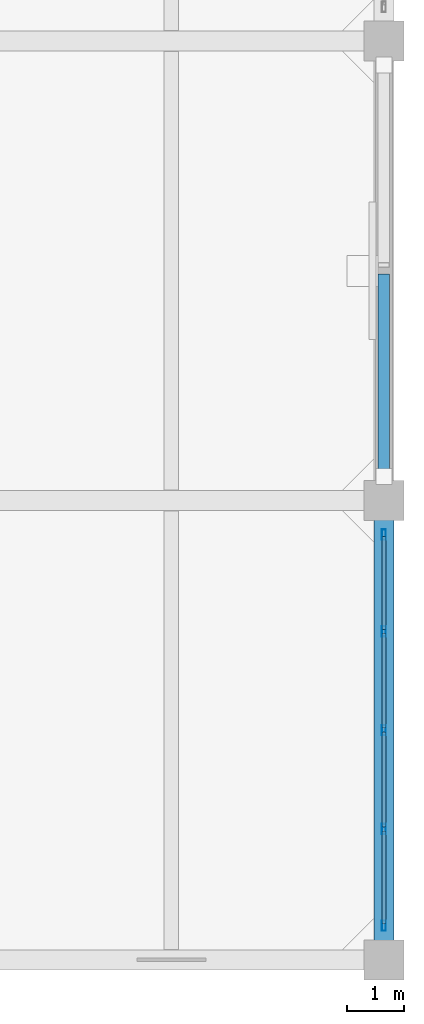
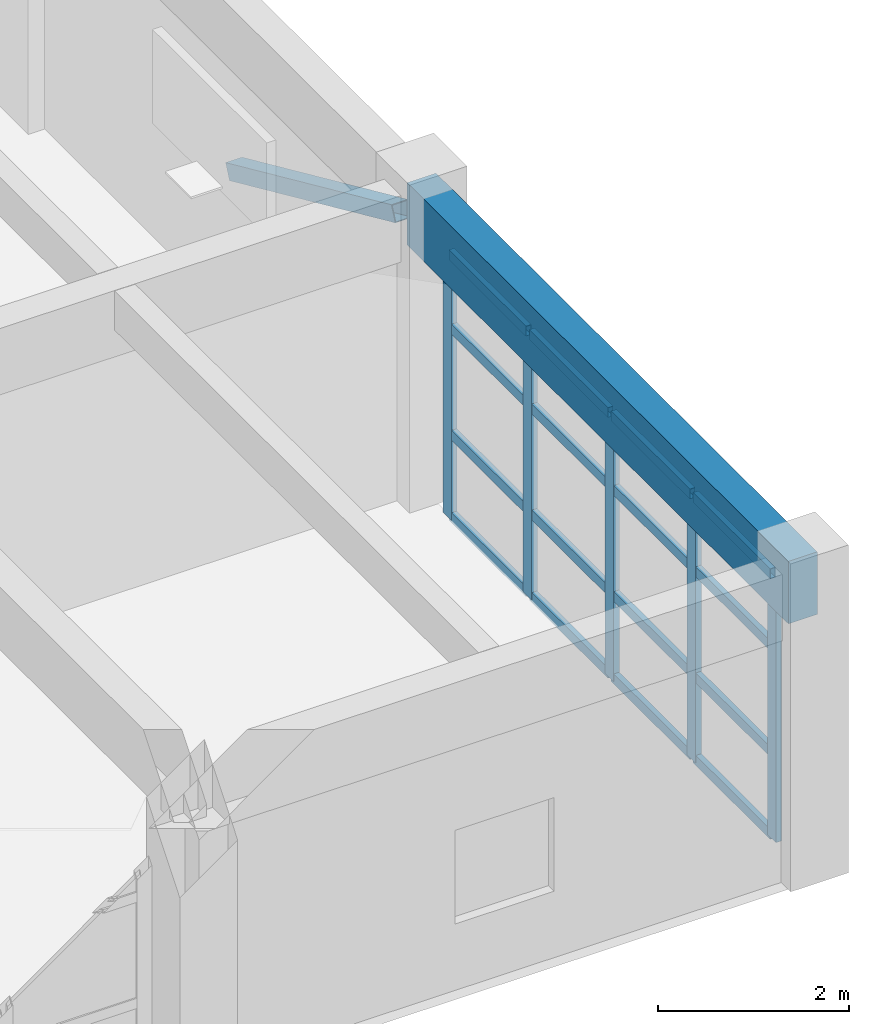
# One storey, part 9 of 25: 22 members, 1 beam, 1 element without a shape of its own.
"""IFC4 building model written with IfcOpenShell, lengths in metres."""

from ifc_helpers import new_model, si_unit, direction, frame, origin, origin_2d, place, context, subcontext, project, spatial, rectangle, hollow_rectangle, extrude, material, layer, layer_set, material_profile, profile_set, type_object, element, aggregate, save


model = new_model("IFC4")

# Units and contexts
model_context = context("Model", 3, precision=1e-05, world=origin(), true_north=direction((0.0, 1.0)))
body_context = subcontext(model_context, "Body", "Model", "MODEL_VIEW")
ifc_project = project(units=[si_unit("LENGTHUNIT", "METRE"), si_unit("AREAUNIT", "SQUARE_METRE"), si_unit("VOLUMEUNIT", "CUBIC_METRE"), si_unit("PLANEANGLEUNIT", "RADIAN"), si_unit("MASSUNIT", "GRAM", prefix="KILO")], contexts=[model_context])

# Site, building, storey
site_placement = place(None, origin())
site = spatial("IfcSite", under=ifc_project, at=site_placement, CompositionType="ELEMENT")
building_placement = place(site_placement, origin())
building = spatial("IfcBuilding", under=site, at=building_placement, Name="Canggui Botanical Conservatory", CompositionType="ELEMENT")
storey_placement = place(building_placement, frame((0.0, 0.0, 40.199951171875)))
storey = spatial("IfcBuildingStorey", under=building, at=storey_placement, Name="L10", CompositionType="ELEMENT", Elevation=40.199951171875)

# Beam
ifc_material_1 = material(Name="Concrete C35", Category="concrete")
ifc_material_profile_1 = material_profile(ifc_material_1, rectangle(XDim=0.35009765625, YDim=0.800048828125, at=origin_2d()), Name="RB 350x800")
ifc_profile_set_1 = profile_set([ifc_material_profile_1], Name="Concrete C35")
beam_type = type_object("IfcBeamType", Name="BM-KL15", PredefinedType="BEAM", material=ifc_profile_set_1)
beam_placement = place(storey_placement, frame((177.39990234375, 34.0, 3.56005859375), z_axis=(0.0, 1.0, 0.0), x_axis=(-1.0, 0.0, 0.0)))
element("IfcBeam", 1, at=beam_placement, inside=storey, type_object=beam_type, Name="Frame Girder L10 X178-1", PredefinedType="BEAM", context=body_context, shape_type="SweptSolid", body=[
    extrude(rectangle(XDim=0.35009765625, YDim=0.800048828125, at=origin_2d()), origin(), (0.0, 0.0, 1.0), 8.0),
])

# Curtain wall, members
ifc_material_2 = material(Name="Thermally Broken Aluminium", Category="aluminium")
ifc_layer = layer(ifc_material_2, 0.179931640625, Name="Thermally Broken Aluminium", Category="aluminium")
ifc_layer_set = layer_set([ifc_layer], Name="Thermally Broken Aluminium")
curtain_wall_type = type_object("IfcCurtainWallType", Name="CW-UNIT-A", PredefinedType="USERDEFINED", material=ifc_layer_set)
curtain_wall_placement = place(storey_placement, origin())
curtain_wall = element("IfcCurtainWall", 2, at=curtain_wall_placement, inside=storey, type_object=curtain_wall_type, Name="Facade Curtain Wall CW-TWR-L10-18", ObjectType="UNITISED CURTAIN WALL", PredefinedType="USERDEFINED")
ifc_material_profile_2 = material_profile(ifc_material_2, hollow_rectangle(XDim=0.070068359375, YDim=0.179931640625, WallThickness=0.00390625, at=origin_2d()), Name="CWM 70x180x4")
ifc_profile_set_2 = profile_set([ifc_material_profile_2], Name="Thermally Broken Aluminium")
member_type_1 = type_object("IfcMemberType", Name="CWM-01", PredefinedType="MULLION", material=ifc_profile_set_2)
member_1_placement = place(storey_placement, frame((177.39990234375, 41.405029296875, 0.0), z_axis=(0.0, 0.0, 1.0), x_axis=(1.0, 0.0, 0.0)))
member_1 = element("IfcMember", 3, at=member_1_placement, type_object=member_type_1, Name="CW-01 mullion 1", PredefinedType="MULLION", context=body_context, shape_type="SweptSolid", body=[
    extrude(hollow_rectangle(XDim=0.070068359375, YDim=0.179931640625, WallThickness=0.00390625, at=origin_2d()), origin(), (0.0, 0.0, 1.0), 3.400146484375),
])
member_2_placement = place(storey_placement, frame((177.39990234375, 39.719970703125, 0.0), z_axis=(0.0, 0.0, 1.0), x_axis=(1.0, 0.0, 0.0)))
member_2 = element("IfcMember", 4, at=member_2_placement, type_object=member_type_1, Name="CW-01 mullion 2", PredefinedType="MULLION", context=body_context, shape_type="SweptSolid", body=[
    extrude(hollow_rectangle(XDim=0.070068359375, YDim=0.179931640625, WallThickness=0.00390625, at=origin_2d()), origin(), (0.0, 0.0, 1.0), 3.400146484375),
])
member_3_placement = place(storey_placement, frame((177.39990234375, 38.0, 0.0), z_axis=(0.0, 0.0, 1.0), x_axis=(1.0, 0.0, 0.0)))
member_3 = element("IfcMember", 5, at=member_3_placement, type_object=member_type_1, Name="CW-01 mullion 3", PredefinedType="MULLION", context=body_context, shape_type="SweptSolid", body=[
    extrude(hollow_rectangle(XDim=0.070068359375, YDim=0.179931640625, WallThickness=0.00390625, at=origin_2d()), origin(), (0.0, 0.0, 1.0), 3.400146484375),
])
member_4_placement = place(storey_placement, frame((177.39990234375, 36.280029296875, 0.0), z_axis=(0.0, 0.0, 1.0), x_axis=(1.0, 0.0, 0.0)))
member_4 = element("IfcMember", 6, at=member_4_placement, type_object=member_type_1, Name="CW-01 mullion 4", PredefinedType="MULLION", context=body_context, shape_type="SweptSolid", body=[
    extrude(hollow_rectangle(XDim=0.070068359375, YDim=0.179931640625, WallThickness=0.00390625, at=origin_2d()), origin(), (0.0, 0.0, 1.0), 3.400146484375),
])
member_5_placement = place(storey_placement, frame((177.39990234375, 34.594970703125, 0.0), z_axis=(0.0, 0.0, 1.0), x_axis=(1.0, 0.0, 0.0)))
member_5 = element("IfcMember", 7, at=member_5_placement, type_object=member_type_1, Name="CW-01 mullion 5", PredefinedType="MULLION", context=body_context, shape_type="SweptSolid", body=[
    extrude(hollow_rectangle(XDim=0.070068359375, YDim=0.179931640625, WallThickness=0.00390625, at=origin_2d()), origin(), (0.0, 0.0, 1.0), 3.400146484375),
])
ifc_material_profile_3 = material_profile(ifc_material_2, hollow_rectangle(XDim=0.06494140625, YDim=0.1298828125, WallThickness=0.00341796875, at=origin_2d()), Name="CWT 65x130x3.5")
ifc_profile_set_3 = profile_set([ifc_material_profile_3], Name="Thermally Broken Aluminium")
member_type_2 = type_object("IfcMemberType", Name="CWT-01", PredefinedType="USERDEFINED", material=ifc_profile_set_3)
member_6_placement = place(storey_placement, frame((177.39990234375, 41.3701171875, 0.032470703125), z_axis=(0.0, -1.0, 0.0), x_axis=(1.0, 0.0, 0.0)))
member_6 = element("IfcMember", 8, at=member_6_placement, type_object=member_type_2, Name="CW-01 transom 1.1", ObjectType="TRANSOM", PredefinedType="USERDEFINED", context=body_context, shape_type="SweptSolid", body=[
    extrude(hollow_rectangle(XDim=0.06494140625, YDim=0.1298828125, WallThickness=0.00341796875, at=origin_2d()), origin(), (0.0, 0.0, 1.0), 1.615234375),
])
member_7_placement = place(storey_placement, frame((177.39990234375, 41.3701171875, 1.088134765625), z_axis=(0.0, -1.0, 0.0), x_axis=(1.0, 0.0, 0.0)))
member_7 = element("IfcMember", 9, at=member_7_placement, type_object=member_type_2, Name="CW-01 transom 1.2", ObjectType="TRANSOM", PredefinedType="USERDEFINED", context=body_context, shape_type="SweptSolid", body=[
    extrude(hollow_rectangle(XDim=0.06494140625, YDim=0.1298828125, WallThickness=0.00341796875, at=origin_2d()), origin(), (0.0, 0.0, 1.0), 1.615234375),
])
member_8_placement = place(storey_placement, frame((177.39990234375, 41.3701171875, 2.447998046875), z_axis=(0.0, -1.0, 0.0), x_axis=(1.0, 0.0, 0.0)))
member_8 = element("IfcMember", 10, at=member_8_placement, type_object=member_type_2, Name="CW-01 transom 1.3", ObjectType="TRANSOM", PredefinedType="USERDEFINED", context=body_context, shape_type="SweptSolid", body=[
    extrude(hollow_rectangle(XDim=0.06494140625, YDim=0.1298828125, WallThickness=0.00341796875, at=origin_2d()), origin(), (0.0, 0.0, 1.0), 1.615234375),
])
member_9_placement = place(storey_placement, frame((177.39990234375, 41.3701171875, 3.367431640625), z_axis=(0.0, -1.0, 0.0), x_axis=(1.0, 0.0, 0.0)))
member_9 = element("IfcMember", 11, at=member_9_placement, type_object=member_type_2, Name="CW-01 transom 1.4", ObjectType="TRANSOM", PredefinedType="USERDEFINED", context=body_context, shape_type="SweptSolid", body=[
    extrude(hollow_rectangle(XDim=0.06494140625, YDim=0.1298828125, WallThickness=0.00341796875, at=origin_2d()), origin(), (0.0, 0.0, 1.0), 1.615234375),
])
member_10_placement = place(storey_placement, frame((177.39990234375, 39.68505859375, 0.032470703125), z_axis=(0.0, -1.0, 0.0), x_axis=(1.0, 0.0, 0.0)))
member_10 = element("IfcMember", 12, at=member_10_placement, type_object=member_type_2, Name="CW-01 transom 2.1", ObjectType="TRANSOM", PredefinedType="USERDEFINED", context=body_context, shape_type="SweptSolid", body=[
    extrude(hollow_rectangle(XDim=0.06494140625, YDim=0.1298828125, WallThickness=0.00341796875, at=origin_2d()), origin(), (0.0, 0.0, 1.0), 1.650146484375),
])
member_11_placement = place(storey_placement, frame((177.39990234375, 39.68505859375, 1.088134765625), z_axis=(0.0, -1.0, 0.0), x_axis=(1.0, 0.0, 0.0)))
member_11 = element("IfcMember", 13, at=member_11_placement, type_object=member_type_2, Name="CW-01 transom 2.2", ObjectType="TRANSOM", PredefinedType="USERDEFINED", context=body_context, shape_type="SweptSolid", body=[
    extrude(hollow_rectangle(XDim=0.06494140625, YDim=0.1298828125, WallThickness=0.00341796875, at=origin_2d()), origin(), (0.0, 0.0, 1.0), 1.650146484375),
])
member_12_placement = place(storey_placement, frame((177.39990234375, 39.68505859375, 2.447998046875), z_axis=(0.0, -1.0, 0.0), x_axis=(1.0, 0.0, 0.0)))
member_12 = element("IfcMember", 14, at=member_12_placement, type_object=member_type_2, Name="CW-01 transom 2.3", ObjectType="TRANSOM", PredefinedType="USERDEFINED", context=body_context, shape_type="SweptSolid", body=[
    extrude(hollow_rectangle(XDim=0.06494140625, YDim=0.1298828125, WallThickness=0.00341796875, at=origin_2d()), origin(), (0.0, 0.0, 1.0), 1.650146484375),
])
member_13_placement = place(storey_placement, frame((177.39990234375, 39.68505859375, 3.367431640625), z_axis=(0.0, -1.0, 0.0), x_axis=(1.0, 0.0, 0.0)))
member_13 = element("IfcMember", 15, at=member_13_placement, type_object=member_type_2, Name="CW-01 transom 2.4", ObjectType="TRANSOM", PredefinedType="USERDEFINED", context=body_context, shape_type="SweptSolid", body=[
    extrude(hollow_rectangle(XDim=0.06494140625, YDim=0.1298828125, WallThickness=0.00341796875, at=origin_2d()), origin(), (0.0, 0.0, 1.0), 1.650146484375),
])
member_14_placement = place(storey_placement, frame((177.39990234375, 37.965087890625, 0.032470703125), z_axis=(0.0, -1.0, 0.0), x_axis=(1.0, 0.0, 0.0)))
member_14 = element("IfcMember", 16, at=member_14_placement, type_object=member_type_2, Name="CW-01 transom 3.1", ObjectType="TRANSOM", PredefinedType="USERDEFINED", context=body_context, shape_type="SweptSolid", body=[
    extrude(hollow_rectangle(XDim=0.06494140625, YDim=0.1298828125, WallThickness=0.00341796875, at=origin_2d()), origin(), (0.0, 0.0, 1.0), 1.650146484375),
])
member_15_placement = place(storey_placement, frame((177.39990234375, 37.965087890625, 1.088134765625), z_axis=(0.0, -1.0, 0.0), x_axis=(1.0, 0.0, 0.0)))
member_15 = element("IfcMember", 17, at=member_15_placement, type_object=member_type_2, Name="CW-01 transom 3.2", ObjectType="TRANSOM", PredefinedType="USERDEFINED", context=body_context, shape_type="SweptSolid", body=[
    extrude(hollow_rectangle(XDim=0.06494140625, YDim=0.1298828125, WallThickness=0.00341796875, at=origin_2d()), origin(), (0.0, 0.0, 1.0), 1.650146484375),
])
member_16_placement = place(storey_placement, frame((177.39990234375, 37.965087890625, 2.447998046875), z_axis=(0.0, -1.0, 0.0), x_axis=(1.0, 0.0, 0.0)))
member_16 = element("IfcMember", 18, at=member_16_placement, type_object=member_type_2, Name="CW-01 transom 3.3", ObjectType="TRANSOM", PredefinedType="USERDEFINED", context=body_context, shape_type="SweptSolid", body=[
    extrude(hollow_rectangle(XDim=0.06494140625, YDim=0.1298828125, WallThickness=0.00341796875, at=origin_2d()), origin(), (0.0, 0.0, 1.0), 1.650146484375),
])
member_17_placement = place(storey_placement, frame((177.39990234375, 37.965087890625, 3.367431640625), z_axis=(0.0, -1.0, 0.0), x_axis=(1.0, 0.0, 0.0)))
member_17 = element("IfcMember", 19, at=member_17_placement, type_object=member_type_2, Name="CW-01 transom 3.4", ObjectType="TRANSOM", PredefinedType="USERDEFINED", context=body_context, shape_type="SweptSolid", body=[
    extrude(hollow_rectangle(XDim=0.06494140625, YDim=0.1298828125, WallThickness=0.00341796875, at=origin_2d()), origin(), (0.0, 0.0, 1.0), 1.650146484375),
])
member_18_placement = place(storey_placement, frame((177.39990234375, 36.2451171875, 0.032470703125), z_axis=(0.0, -1.0, 0.0), x_axis=(1.0, 0.0, 0.0)))
member_18 = element("IfcMember", 20, at=member_18_placement, type_object=member_type_2, Name="CW-01 transom 4.1", ObjectType="TRANSOM", PredefinedType="USERDEFINED", context=body_context, shape_type="SweptSolid", body=[
    extrude(hollow_rectangle(XDim=0.06494140625, YDim=0.1298828125, WallThickness=0.00341796875, at=origin_2d()), origin(), (0.0, 0.0, 1.0), 1.615234375),
])
member_19_placement = place(storey_placement, frame((177.39990234375, 36.2451171875, 1.088134765625), z_axis=(0.0, -1.0, 0.0), x_axis=(1.0, 0.0, 0.0)))
member_19 = element("IfcMember", 21, at=member_19_placement, type_object=member_type_2, Name="CW-01 transom 4.2", ObjectType="TRANSOM", PredefinedType="USERDEFINED", context=body_context, shape_type="SweptSolid", body=[
    extrude(hollow_rectangle(XDim=0.06494140625, YDim=0.1298828125, WallThickness=0.00341796875, at=origin_2d()), origin(), (0.0, 0.0, 1.0), 1.615234375),
])
member_20_placement = place(storey_placement, frame((177.39990234375, 36.2451171875, 2.447998046875), z_axis=(0.0, -1.0, 0.0), x_axis=(1.0, 0.0, 0.0)))
member_20 = element("IfcMember", 22, at=member_20_placement, type_object=member_type_2, Name="CW-01 transom 4.3", ObjectType="TRANSOM", PredefinedType="USERDEFINED", context=body_context, shape_type="SweptSolid", body=[
    extrude(hollow_rectangle(XDim=0.06494140625, YDim=0.1298828125, WallThickness=0.00341796875, at=origin_2d()), origin(), (0.0, 0.0, 1.0), 1.615234375),
])
member_21_placement = place(storey_placement, frame((177.39990234375, 36.2451171875, 3.367431640625), z_axis=(0.0, -1.0, 0.0), x_axis=(1.0, 0.0, 0.0)))
member_21 = element("IfcMember", 23, at=member_21_placement, type_object=member_type_2, Name="CW-01 transom 4.4", ObjectType="TRANSOM", PredefinedType="USERDEFINED", context=body_context, shape_type="SweptSolid", body=[
    extrude(hollow_rectangle(XDim=0.06494140625, YDim=0.1298828125, WallThickness=0.00341796875, at=origin_2d()), origin(), (0.0, 0.0, 1.0), 1.615234375),
])
aggregate(curtain_wall, [member_1, member_2, member_3, member_4, member_5, member_6, member_7, member_8, member_9, member_10, member_11, member_12, member_13, member_14, member_15, member_16, member_17, member_18, member_19, member_20, member_21])

# Member
ifc_material_3 = material(Name="Steel Q355B", Category="steel")
ifc_material_profile_4 = material_profile(ifc_material_3, hollow_rectangle(XDim=0.199951171875, YDim=0.199951171875, WallThickness=0.008056640625, at=origin_2d()), Name="SHS 200x200x8")
ifc_profile_set_4 = profile_set([ifc_material_profile_4], Name="Steel Q355B")
member_type_3 = type_object("IfcMemberType", Name="MEM-ZC02", PredefinedType="BRACE", material=ifc_profile_set_4)
member_22_placement = place(storey_placement, frame((177.39990234375, 45.899658203125, 1.710205078125), z_axis=(0.0, -0.911534585255, 0.411223418452), x_axis=(1.0, 0.0, 0.0)))
element("IfcMember", 24, at=member_22_placement, inside=storey, type_object=member_type_3, Name="Seismic Concentric X-Brace Upper Split Diagonal L10-B2", PredefinedType="BRACE", context=body_context, shape_type="SweptSolid", body=[
    extrude(hollow_rectangle(XDim=0.199951171875, YDim=0.199951171875, WallThickness=0.008056640625, at=origin_2d()), origin(), (0.0, 0.0, 1.0), 3.8173828125),
])

save(model, "model.ifc")
